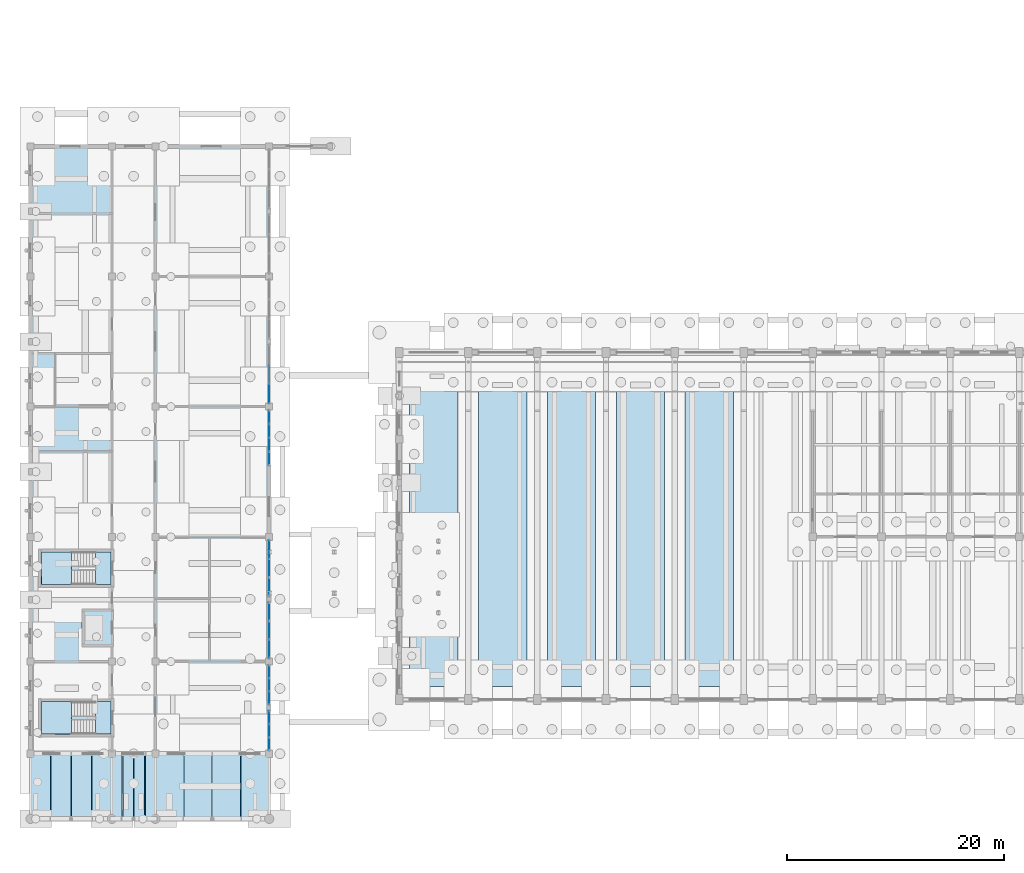
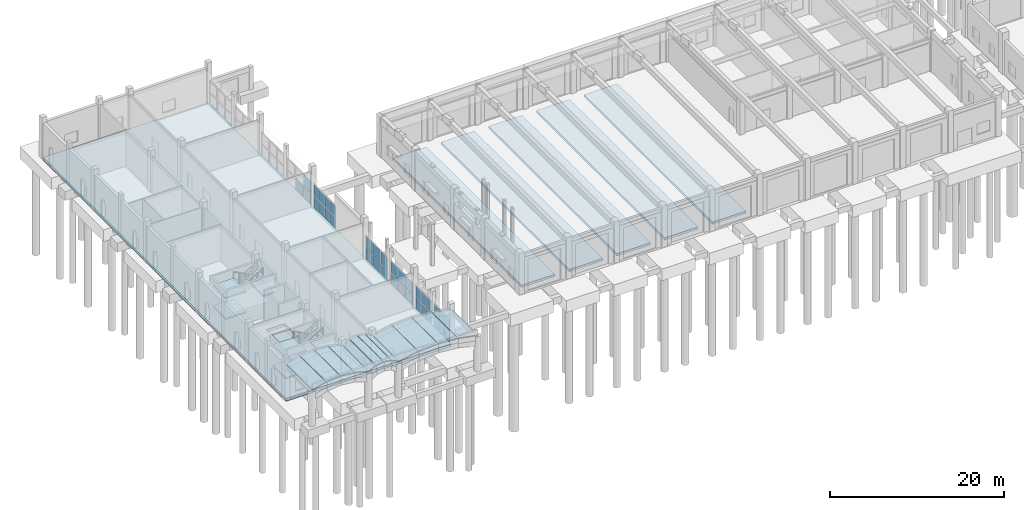
# One storey, part 24 of 60: 35 plates, 25 slabs, 8 elements without a shape of their own.
"""IFC4 building model written with IfcOpenShell, lengths in metres."""

import ifcopenshell
import ifcopenshell.guid

model = None  # the IFC model being written
_history = None  # IfcOwnerHistory: only IFC2X3 demands one
_inside = {}  # id of a spatial element -> (the spatial element, [elements in it])
_under = {}  # id of a project, library or spatial element -> (it, [spatial elements below it])
_declared = {}  # id of a project -> (the project, [libraries it declares])
_typed = {}  # id of a type object -> (the type object, [elements of that type])
_made_of = {}  # id of a material, layer set ... -> (it, [elements and type objects made of it])


def new_model(schema):
    """Start an empty IFC model of exactly this schema.

    Asked for "IFC4X3", IfcOpenShell would pick the latest addendum, in which some entities
    have other attributes; the version numbers below select the first issue.
    IFC2X3 requires an IfcOwnerHistory on every rooted entity: one is made here for all.
    """
    global model, _history
    if schema == "IFC4X3":
        model = ifcopenshell.file(schema_version=(4, 3, 0, 0))
    else:
        model = ifcopenshell.file(schema=schema)
    _inside.clear()
    _under.clear()
    _declared.clear()
    _typed.clear()
    _made_of.clear()
    _history = None
    if model.schema == "IFC2X3":
        org = make("IfcOrganization", Name="unknown")
        user = make(
            "IfcPersonAndOrganization",
            ThePerson=make("IfcPerson", FamilyName="unknown"),
            TheOrganization=org,
        )
        app = make(
            "IfcApplication",
            ApplicationDeveloper=org,
            Version="unknown",
            ApplicationFullName="unknown",
            ApplicationIdentifier="unknown",
        )
        _history = make(
            "IfcOwnerHistory",
            OwningUser=user,
            OwningApplication=app,
            ChangeAction="ADDED",
            CreationDate=0,
        )
    return model


def make(cls, **values):
    """One entity of the class cls with the attributes given. An attribute that is None is left unset."""
    return model.create_entity(
        cls, **{name: value for name, value in values.items() if value is not None}
    )


def rooted(cls, **values):
    """An entity with a GlobalId (a new one), such as an element, a storey or a relation."""
    return make(cls, GlobalId=ifcopenshell.guid.new(), OwnerHistory=_history, **values)


def si_unit(unit_type, name, prefix=None):
    """IfcSIUnit, for example si_unit("LENGTHUNIT", "METRE", prefix="MILLI")."""
    return make("IfcSIUnit", UnitType=unit_type, Prefix=prefix, Name=name)


def assignment(units):
    """IfcUnitAssignment: the units of a project."""
    return None if units is None else make("IfcUnitAssignment", Units=units)


def point(xyz):
    """IfcCartesianPoint."""
    return None if xyz is None else make("IfcCartesianPoint", Coordinates=xyz)


def direction(xyz):
    """IfcDirection."""
    return None if xyz is None else make("IfcDirection", DirectionRatios=xyz)


def frame(location, z_axis=None, x_axis=None):
    """IfcAxis2Placement3D, a coordinate frame: its origin and axes. An axis left out is left unset."""
    return make(
        "IfcAxis2Placement3D",
        Location=point(location),
        Axis=direction(z_axis),
        RefDirection=direction(x_axis),
    )


def frame_2d(location, x_axis=None):
    """IfcAxis2Placement2D, a coordinate frame in the plane: its origin and x axis."""
    return make(
        "IfcAxis2Placement2D", Location=point(location), RefDirection=direction(x_axis)
    )


def origin():
    """The frame at (0, 0, 0) with its axes left unset."""
    return frame((0.0, 0.0, 0.0))


def origin_2d():
    """The frame at (0, 0) in the plane with its x axis left unset."""
    return frame_2d((0.0, 0.0))


def place(relative_to, where):
    """IfcLocalPlacement: puts the frame where relative to a parent placement (None: the world)."""
    return make(
        "IfcLocalPlacement", PlacementRelTo=relative_to, RelativePlacement=where
    )


def context(
    kind, dimensions, precision=None, world=None, true_north=None, identifier=None
):
    """IfcGeometricRepresentationContext, for example the 3D "Model" context."""
    return make(
        "IfcGeometricRepresentationContext",
        ContextIdentifier=identifier,
        ContextType=kind,
        CoordinateSpaceDimension=dimensions,
        Precision=precision,
        WorldCoordinateSystem=world,
        TrueNorth=true_north,
    )


def subcontext(parent, identifier, kind, view, scale=None):
    """IfcGeometricRepresentationSubContext, for example "Body" below "Model"."""
    return make(
        "IfcGeometricRepresentationSubContext",
        ContextIdentifier=identifier,
        ContextType=kind,
        ParentContext=parent,
        TargetScale=scale,
        TargetView=view,
    )


def project(units=None, contexts=None):
    """IfcProject with its units and contexts."""
    return rooted(
        "IfcProject",
        Name="project",
        RepresentationContexts=contexts,
        UnitsInContext=assignment(units),
    )


def spatial(cls, under=None, at=None, **own):
    """A site, building, storey or space (cls), placed at a placement, below another one or the project."""
    s = rooted(cls, ObjectPlacement=at, **own)
    if under is not None:
        _under.setdefault(under.id(), (under, []))[1].append(s)
    return s


def polyline(points):
    """IfcPolyline through the points."""
    return make("IfcPolyline", Points=[point(p) for p in points])


def profile(cls, at=None, kind="AREA", **sizes):
    """A parametric profile (cls). Its sizes go by their IFC names, for example OverallWidth=200.0."""
    return make(cls, ProfileType=kind, Position=at, **sizes)


def rectangle(**sizes):
    """IfcRectangleProfileDef."""
    return profile("IfcRectangleProfileDef", **sizes)


def outline(outer, holes=None, kind="AREA"):
    """IfcArbitraryClosedProfileDef: a profile drawn as a closed curve; with holes, ...WithVoids."""
    if holes is None:
        return make("IfcArbitraryClosedProfileDef", ProfileType=kind, OuterCurve=outer)
    return make(
        "IfcArbitraryProfileDefWithVoids",
        ProfileType=kind,
        OuterCurve=outer,
        InnerCurves=holes,
    )


def extrude(swept, where, along, depth):
    """IfcExtrudedAreaSolid: the profile swept, set in the frame where, extruded along a direction by depth."""
    return make(
        "IfcExtrudedAreaSolid",
        SweptArea=swept,
        Position=where,
        ExtrudedDirection=direction(along),
        Depth=depth,
    )


def shape(context_of_items, identifier, shape_type, items):
    """IfcShapeRepresentation: the items that make up one representation, for example the "Body"."""
    return make(
        "IfcShapeRepresentation",
        ContextOfItems=context_of_items,
        RepresentationIdentifier=identifier,
        RepresentationType=shape_type,
        Items=items,
    )


def material(Name=None, Category=None):
    """IfcMaterial."""
    return make("IfcMaterial", Name=Name, Category=Category)


def layer(
    of_material, thickness, ventilated=None, Name=None, Category=None, Priority=None
):
    """IfcMaterialLayer: one layer of a wall or slab, of a material (None: an air gap)."""
    return make(
        "IfcMaterialLayer",
        Material=of_material,
        LayerThickness=thickness,
        IsVentilated=ventilated,
        Name=Name,
        Category=Category,
        Priority=Priority,
    )


def layer_set(layers, Name=None):
    """IfcMaterialLayerSet."""
    return make("IfcMaterialLayerSet", MaterialLayers=layers, LayerSetName=Name)


def made_of(thing, what):
    """Note that an element or type object is made of a material, layer set ...; save() writes the relation."""
    if what is not None:
        _made_of.setdefault(what.id(), (what, []))[1].append(thing)
    return thing


def type_object(cls, material=None, **own):
    """A type object (cls), such as IfcWallType, which elements share."""
    return made_of(rooted(cls, **own), material)


def element(
    cls,
    number,
    at=None,
    inside=None,
    cuts=None,
    type_object=None,
    material=None,
    context=None,
    identifier="Body",
    shape_type=None,
    held_by="IfcProductDefinitionShape",
    body=None,
    shapes=None,
    **own,
):
    """One element of the class cls, such as IfcWall. Its Tag is "e" and its number.

    at: its placement. inside: the storey or other place that contains it. cuts: it is an
    opening in that element (IfcRelVoidsElement). A single representation is given by context,
    identifier, shape_type and body (its items); several are given by shapes. held_by: the class
    of the entity that holds the representations. save() writes the other relations.
    """
    e = rooted(cls, Tag="e%d" % number, ObjectPlacement=at, **own)
    if body is not None:
        shapes = [shape(context, identifier, shape_type, body)]
    if shapes is not None:
        e.Representation = make(held_by, Representations=shapes)
    if inside is not None:
        _inside.setdefault(inside.id(), (inside, []))[1].append(e)
    if cuts is not None:
        rooted(
            "IfcRelVoidsElement", RelatingBuildingElement=cuts, RelatedOpeningElement=e
        )
    if type_object is not None:
        _typed.setdefault(type_object.id(), (type_object, []))[1].append(e)
    return made_of(e, material)


def aggregate(whole, parts):
    """IfcRelAggregates: a whole, such as a stair, and the parts it consists of."""
    return rooted("IfcRelAggregates", RelatingObject=whole, RelatedObjects=parts)


def save(model, path):
    """Write the relations noted so far, then the file.

    IfcRelAggregates (storeys below a building ...), IfcRelContainedInSpatialStructure (elements
    in a storey), IfcRelDefinesByType, IfcRelAssociatesMaterial and IfcRelDeclares: one each for
    every whole, place, type object, material and project.
    """
    for whole, parts in _under.values():
        aggregate(whole, parts)
    for where, things in _inside.values():
        rooted(
            "IfcRelContainedInSpatialStructure",
            RelatedElements=things,
            RelatingStructure=where,
        )
    for kind, things in _typed.values():
        rooted("IfcRelDefinesByType", RelatedObjects=things, RelatingType=kind)
    for what, things in _made_of.values():
        rooted("IfcRelAssociatesMaterial", RelatedObjects=things, RelatingMaterial=what)
    for by, libraries in _declared.values():
        rooted("IfcRelDeclares", RelatingContext=by, RelatedDefinitions=libraries)
    model.write(path)


model = new_model("IFC4")

# Units and contexts
model_context = context("Model", 3, precision=1e-05, world=origin(), true_north=direction((0.0, 1.0)))
body_context = subcontext(model_context, "Body", "Model", "MODEL_VIEW")
ifc_project = project(units=[si_unit("LENGTHUNIT", "METRE"), si_unit("AREAUNIT", "SQUARE_METRE"), si_unit("VOLUMEUNIT", "CUBIC_METRE"), si_unit("PLANEANGLEUNIT", "RADIAN"), si_unit("MASSUNIT", "GRAM", prefix="KILO")], contexts=[model_context])

# Site, building, storey
site_placement = place(None, origin())
site = spatial("IfcSite", under=ifc_project, at=site_placement, CompositionType="ELEMENT")
building_placement = place(site_placement, origin())
building = spatial("IfcBuilding", under=site, at=building_placement, Name="Trellovar Central Fire Station", CompositionType="ELEMENT")
storey_placement = place(building_placement, origin())
storey = spatial("IfcBuildingStorey", under=building, at=storey_placement, Name="L01", CompositionType="ELEMENT", Elevation=0.0)

# Curtain wall, plate
ifc_material_1 = material(Name="Thermally broken bronze anodized aluminum", Category="aluminium")
ifc_layer_1 = layer(ifc_material_1, 0.159912109375)
ifc_layer_set_1 = layer_set([ifc_layer_1], Name="Thermally broken bronze anodized aluminum")
curtain_wall_type = type_object("IfcCurtainWallType", Name="CW-03", PredefinedType="NOTDEFINED", material=ifc_layer_set_1)
curtain_wall_1_placement = place(storey_placement, origin())
curtain_wall_1 = element("IfcCurtainWall", 1, at=curtain_wall_1_placement, inside=storey, type_object=curtain_wall_type, Name="L01 curtain wall CW-3", PredefinedType="NOTDEFINED")
ifc_material_2 = material(Name="Double low-E solar control insulated glazing", Category="glass")
ifc_layer_2 = layer(ifc_material_2, 0.031982421875)
ifc_layer_set_2 = layer_set([ifc_layer_2], Name="Double low-E solar control insulated glazing")
plate_type_1 = type_object("IfcPlateType", Name="CWP-GL1", PredefinedType="CURTAIN_PANEL", material=ifc_layer_set_2)
plate_1_placement = place(storey_placement, frame((23.0, 9.92919921875, 1.68994140625), z_axis=(0.0, 0.0, 1.0), x_axis=(0.0, 1.0, 0.0)))
plate_1 = element("IfcPlate", 2, at=plate_1_placement, type_object=plate_type_1, Name="CW3-L01-0027 panel 1-2", PredefinedType="CURTAIN_PANEL", context=body_context, shape_type="SweptSolid", body=[
    extrude(rectangle(XDim=1.12841796875, YDim=0.031982421875, at=origin_2d()), origin(), (0.0, 0.0, 1.0), 1.570068359375),
])

curtain_wall_2_placement = place(storey_placement, origin())
curtain_wall_2 = element("IfcCurtainWall", 3, at=curtain_wall_2_placement, inside=storey, type_object=curtain_wall_type, Name="L01 curtain wall CW-3", PredefinedType="NOTDEFINED")
plate_2_placement = place(storey_placement, frame((23.0, 22.095703125, 1.68994140625), z_axis=(0.0, 0.0, 1.0), x_axis=(0.0, 1.0, 0.0)))
plate_2 = element("IfcPlate", 4, at=plate_2_placement, type_object=plate_type_1, Name="CW3-L01-0029 panel 3-2", PredefinedType="CURTAIN_PANEL", context=body_context, shape_type="SweptSolid", body=[
    extrude(rectangle(XDim=1.62841796875, YDim=0.031982421875, at=origin_2d()), origin(), (0.0, 0.0, 1.0), 1.570068359375),
])

curtain_wall_3_placement = place(storey_placement, origin())
curtain_wall_3 = element("IfcCurtainWall", 5, at=curtain_wall_3_placement, inside=storey, type_object=curtain_wall_type, Name="L01 curtain wall CW-3", PredefinedType="NOTDEFINED")
plate_3_placement = place(storey_placement, frame((23.0, 26.112548828125, 1.68994140625), z_axis=(0.0, 0.0, 1.0), x_axis=(0.0, 1.0, 0.0)))
plate_3 = element("IfcPlate", 6, at=plate_3_placement, type_object=plate_type_1, Name="CW3-L01-0030 panel 2-2", PredefinedType="CURTAIN_PANEL", context=body_context, shape_type="SweptSolid", body=[
    extrude(rectangle(XDim=1.62841796875, YDim=0.031982421875, at=origin_2d()), origin(), (0.0, 0.0, 1.0), 1.570068359375),
])

curtain_wall_4_placement = place(storey_placement, origin())
curtain_wall_4 = element("IfcCurtainWall", 7, at=curtain_wall_4_placement, inside=storey, type_object=curtain_wall_type, Name="L01 curtain wall CW-3", PredefinedType="NOTDEFINED")
plate_4_placement = place(storey_placement, frame((23.0, 36.234375, 1.68994140625), z_axis=(0.0, 0.0, 1.0), x_axis=(0.0, 1.0, 0.0)))
plate_4 = element("IfcPlate", 8, at=plate_4_placement, type_object=plate_type_1, Name="CW3-L01-0031 panel 1-2", PredefinedType="CURTAIN_PANEL", context=body_context, shape_type="SweptSolid", body=[
    extrude(rectangle(XDim=1.188720703125, YDim=0.031982421875, at=origin_2d()), origin(), (0.0, 0.0, 1.0), 1.570068359375),
])

# Plate
ifc_material_3 = material(Name="Double low-E solar control insulated glazing", Category="glass")
ifc_layer_3 = layer(ifc_material_3, 0.035888671875)
ifc_layer_set_3 = layer_set([ifc_layer_3], Name="Double low-E solar control insulated glazing")
plate_type_2 = type_object("IfcPlateType", Name="CWP-GL2", PredefinedType="CURTAIN_PANEL", material=ifc_layer_set_3)
plate_5_placement = place(storey_placement, frame((23.0, 11.137451171875, 1.68994140625), z_axis=(0.0, 0.0, 1.0), x_axis=(0.0, 1.0, 0.0)))
plate_5 = element("IfcPlate", 9, at=plate_5_placement, type_object=plate_type_2, Name="CW3-L01-0027 panel 2-2", PredefinedType="CURTAIN_PANEL", context=body_context, shape_type="SweptSolid", body=[
    extrude(rectangle(XDim=1.12841796875, YDim=0.035888671875, at=origin_2d()), origin(), (0.0, 0.0, 1.0), 1.570068359375),
])

# Curtain wall, plate
curtain_wall_5_placement = place(storey_placement, origin())
curtain_wall_5 = element("IfcCurtainWall", 10, at=curtain_wall_5_placement, inside=storey, type_object=curtain_wall_type, Name="L01 curtain wall CW-3", PredefinedType="NOTDEFINED")
plate_6_placement = place(storey_placement, frame((23.0, 14.154296875, 1.68994140625), z_axis=(0.0, 0.0, 1.0), x_axis=(0.0, 1.0, 0.0)))
plate_6 = element("IfcPlate", 11, at=plate_6_placement, type_object=plate_type_2, Name="CW3-L01-0028 panel 1-2", PredefinedType="CURTAIN_PANEL", context=body_context, shape_type="SweptSolid", body=[
    extrude(rectangle(XDim=1.12841796875, YDim=0.035888671875, at=origin_2d()), origin(), (0.0, 0.0, 1.0), 1.570068359375),
])

# Plate
plate_7_placement = place(storey_placement, frame((23.0, 27.82080078125, 1.68994140625), z_axis=(0.0, 0.0, 1.0), x_axis=(0.0, 1.0, 0.0)))
plate_7 = element("IfcPlate", 12, at=plate_7_placement, type_object=plate_type_2, Name="CW3-L01-0030 panel 3-2", PredefinedType="CURTAIN_PANEL", context=body_context, shape_type="SweptSolid", body=[
    extrude(rectangle(XDim=1.62841796875, YDim=0.035888671875, at=origin_2d()), origin(), (0.0, 0.0, 1.0), 1.570068359375),
])

plate_8_placement = place(storey_placement, frame((23.0, 37.503173828125, 1.68994140625), z_axis=(0.0, 0.0, 1.0), x_axis=(0.0, 1.0, 0.0)))
plate_8 = element("IfcPlate", 13, at=plate_8_placement, type_object=plate_type_2, Name="CW3-L01-0031 panel 2-2", PredefinedType="CURTAIN_PANEL", context=body_context, shape_type="SweptSolid", body=[
    extrude(rectangle(XDim=1.188720703125, YDim=0.035888671875, at=origin_2d()), origin(), (0.0, 0.0, 1.0), 1.570068359375),
])

# Curtain wall, plate
curtain_wall_6_placement = place(storey_placement, origin())
curtain_wall_6 = element("IfcCurtainWall", 14, at=curtain_wall_6_placement, inside=storey, type_object=curtain_wall_type, Name="L01 curtain wall CW-3", PredefinedType="NOTDEFINED")
plate_9_placement = place(storey_placement, frame((23.0, 42.220947265625, 1.68994140625), z_axis=(0.0, 0.0, 1.0), x_axis=(0.0, 1.0, 0.0)))
plate_9 = element("IfcPlate", 15, at=plate_9_placement, type_object=plate_type_2, Name="CW3-L01-0032 panel 1-2", PredefinedType="CURTAIN_PANEL", context=body_context, shape_type="SweptSolid", body=[
    extrude(rectangle(XDim=1.711669921875, YDim=0.035888671875, at=origin_2d()), origin(), (0.0, 0.0, 1.0), 1.570068359375),
])

# Plate
ifc_material_4 = material(Name="Double low-E solar control insulated glazing", Category="glass")
ifc_layer_4 = layer(ifc_material_4, 0.033935546875)
ifc_layer_set_4 = layer_set([ifc_layer_4], Name="Double low-E solar control insulated glazing")
plate_type_3 = type_object("IfcPlateType", Name="CWP-GL3", PredefinedType="CURTAIN_PANEL", material=ifc_layer_set_4)
plate_10_placement = place(storey_placement, frame((23.0, 12.345703125, 1.68994140625), z_axis=(0.0, 0.0, 1.0), x_axis=(0.0, 1.0, 0.0)))
plate_10 = element("IfcPlate", 16, at=plate_10_placement, type_object=plate_type_3, Name="CW3-L01-0027 panel 3-2", PredefinedType="CURTAIN_PANEL", context=body_context, shape_type="SweptSolid", body=[
    extrude(rectangle(XDim=1.12841796875, YDim=0.033935546875, at=origin_2d()), origin(), (0.0, 0.0, 1.0), 1.570068359375),
])

plate_11_placement = place(storey_placement, frame((23.0, 15.362548828125, 1.68994140625), z_axis=(0.0, 0.0, 1.0), x_axis=(0.0, 1.0, 0.0)))
plate_11 = element("IfcPlate", 17, at=plate_11_placement, type_object=plate_type_3, Name="CW3-L01-0028 panel 2-2", PredefinedType="CURTAIN_PANEL", context=body_context, shape_type="SweptSolid", body=[
    extrude(rectangle(XDim=1.12841796875, YDim=0.033935546875, at=origin_2d()), origin(), (0.0, 0.0, 1.0), 1.570068359375),
])

plate_12_placement = place(storey_placement, frame((23.0, 18.67919921875, 1.68994140625), z_axis=(0.0, 0.0, 1.0), x_axis=(0.0, 1.0, 0.0)))
plate_12 = element("IfcPlate", 18, at=plate_12_placement, type_object=plate_type_3, Name="CW3-L01-0029 panel 1-2", PredefinedType="CURTAIN_PANEL", context=body_context, shape_type="SweptSolid", body=[
    extrude(rectangle(XDim=1.62841796875, YDim=0.033935546875, at=origin_2d()), origin(), (0.0, 0.0, 1.0), 1.570068359375),
])

plate_13_placement = place(storey_placement, frame((23.0, 38.77197265625, 1.68994140625), z_axis=(0.0, 0.0, 1.0), x_axis=(0.0, 1.0, 0.0)))
plate_13 = element("IfcPlate", 19, at=plate_13_placement, type_object=plate_type_3, Name="CW3-L01-0031 panel 3-2", PredefinedType="CURTAIN_PANEL", context=body_context, shape_type="SweptSolid", body=[
    extrude(rectangle(XDim=1.188720703125, YDim=0.033935546875, at=origin_2d()), origin(), (0.0, 0.0, 1.0), 1.570068359375),
])

ifc_material_5 = material(Name="Double low-E solar control insulated glazing", Category="glass")
ifc_layer_5 = layer(ifc_material_5, 0.030029296875)
ifc_layer_set_5 = layer_set([ifc_layer_5], Name="Double low-E solar control insulated glazing")
plate_type_4 = type_object("IfcPlateType", Name="CWP-GL4", PredefinedType="CURTAIN_PANEL", material=ifc_layer_set_5)
plate_14_placement = place(storey_placement, frame((23.0, 16.57080078125, 1.68994140625), z_axis=(0.0, 0.0, 1.0), x_axis=(0.0, 1.0, 0.0)))
plate_14 = element("IfcPlate", 20, at=plate_14_placement, type_object=plate_type_4, Name="CW3-L01-0028 panel 3-2", PredefinedType="CURTAIN_PANEL", context=body_context, shape_type="SweptSolid", body=[
    extrude(rectangle(XDim=1.12841796875, YDim=0.030029296875, at=origin_2d()), origin(), (0.0, 0.0, 1.0), 1.570068359375),
])

plate_15_placement = place(storey_placement, frame((23.0, 20.387451171875, 1.68994140625), z_axis=(0.0, 0.0, 1.0), x_axis=(0.0, 1.0, 0.0)))
plate_15 = element("IfcPlate", 21, at=plate_15_placement, type_object=plate_type_4, Name="CW3-L01-0029 panel 2-2", PredefinedType="CURTAIN_PANEL", context=body_context, shape_type="SweptSolid", body=[
    extrude(rectangle(XDim=1.62841796875, YDim=0.030029296875, at=origin_2d()), origin(), (0.0, 0.0, 1.0), 1.570068359375),
])

plate_16_placement = place(storey_placement, frame((23.0, 24.404296875, 1.68994140625), z_axis=(0.0, 0.0, 1.0), x_axis=(0.0, 1.0, 0.0)))
plate_16 = element("IfcPlate", 22, at=plate_16_placement, type_object=plate_type_4, Name="CW3-L01-0030 panel 1-2", PredefinedType="CURTAIN_PANEL", context=body_context, shape_type="SweptSolid", body=[
    extrude(rectangle(XDim=1.62841796875, YDim=0.030029296875, at=origin_2d()), origin(), (0.0, 0.0, 1.0), 1.570068359375),
])

plate_17_placement = place(storey_placement, frame((23.0, 40.04052734375, 1.68994140625), z_axis=(0.0, 0.0, 1.0), x_axis=(0.0, 1.0, 0.0)))
plate_17 = element("IfcPlate", 23, at=plate_17_placement, type_object=plate_type_4, Name="CW3-L01-0031 panel 4-2", PredefinedType="CURTAIN_PANEL", context=body_context, shape_type="SweptSolid", body=[
    extrude(rectangle(XDim=1.188720703125, YDim=0.030029296875, at=origin_2d()), origin(), (0.0, 0.0, 1.0), 1.570068359375),
])

ifc_material_6 = material(Name="Glazed ceramic trencadis and terracotta panel", Category="masonry")
ifc_layer_6 = layer(ifc_material_6, 0.048095703125)
ifc_layer_set_6 = layer_set([ifc_layer_6], Name="Glazed ceramic trencadis and terracotta panel")
plate_type_5 = type_object("IfcPlateType", Name="CWP-SP1", PredefinedType="CURTAIN_PANEL", material=ifc_layer_set_6)
plate_18_placement = place(storey_placement, frame((23.0, 11.137451171875, 0.0400390625), z_axis=(0.0, 0.0, 1.0), x_axis=(0.0, 1.0, 0.0)))
plate_18 = element("IfcPlate", 24, at=plate_18_placement, type_object=plate_type_5, Name="CW3-L01-0027 panel 2-1", PredefinedType="CURTAIN_PANEL", context=body_context, shape_type="SweptSolid", body=[
    extrude(rectangle(XDim=1.12841796875, YDim=0.048095703125, at=origin_2d()), origin(), (0.0, 0.0, 1.0), 1.570068359375),
])

plate_19_placement = place(storey_placement, frame((23.0, 14.154296875, 0.0400390625), z_axis=(0.0, 0.0, 1.0), x_axis=(0.0, 1.0, 0.0)))
plate_19 = element("IfcPlate", 25, at=plate_19_placement, type_object=plate_type_5, Name="CW3-L01-0028 panel 1-1", PredefinedType="CURTAIN_PANEL", context=body_context, shape_type="SweptSolid", body=[
    extrude(rectangle(XDim=1.12841796875, YDim=0.048095703125, at=origin_2d()), origin(), (0.0, 0.0, 1.0), 1.570068359375),
])

plate_20_placement = place(storey_placement, frame((23.0, 16.57080078125, 0.0400390625), z_axis=(0.0, 0.0, 1.0), x_axis=(0.0, 1.0, 0.0)))
plate_20 = element("IfcPlate", 26, at=plate_20_placement, type_object=plate_type_5, Name="CW3-L01-0028 panel 3-1", PredefinedType="CURTAIN_PANEL", context=body_context, shape_type="SweptSolid", body=[
    extrude(rectangle(XDim=1.12841796875, YDim=0.048095703125, at=origin_2d()), origin(), (0.0, 0.0, 1.0), 1.570068359375),
])

plate_21_placement = place(storey_placement, frame((23.0, 20.387451171875, 0.0400390625), z_axis=(0.0, 0.0, 1.0), x_axis=(0.0, 1.0, 0.0)))
plate_21 = element("IfcPlate", 27, at=plate_21_placement, type_object=plate_type_5, Name="CW3-L01-0029 panel 2-1", PredefinedType="CURTAIN_PANEL", context=body_context, shape_type="SweptSolid", body=[
    extrude(rectangle(XDim=1.62841796875, YDim=0.048095703125, at=origin_2d()), origin(), (0.0, 0.0, 1.0), 1.570068359375),
])

plate_22_placement = place(storey_placement, frame((23.0, 24.404296875, 0.0400390625), z_axis=(0.0, 0.0, 1.0), x_axis=(0.0, 1.0, 0.0)))
plate_22 = element("IfcPlate", 28, at=plate_22_placement, type_object=plate_type_5, Name="CW3-L01-0030 panel 1-1", PredefinedType="CURTAIN_PANEL", context=body_context, shape_type="SweptSolid", body=[
    extrude(rectangle(XDim=1.62841796875, YDim=0.048095703125, at=origin_2d()), origin(), (0.0, 0.0, 1.0), 1.570068359375),
])

plate_23_placement = place(storey_placement, frame((23.0, 27.82080078125, 0.0400390625), z_axis=(0.0, 0.0, 1.0), x_axis=(0.0, 1.0, 0.0)))
plate_23 = element("IfcPlate", 29, at=plate_23_placement, type_object=plate_type_5, Name="CW3-L01-0030 panel 3-1", PredefinedType="CURTAIN_PANEL", context=body_context, shape_type="SweptSolid", body=[
    extrude(rectangle(XDim=1.62841796875, YDim=0.048095703125, at=origin_2d()), origin(), (0.0, 0.0, 1.0), 1.570068359375),
])

plate_24_placement = place(storey_placement, frame((23.0, 37.503173828125, 0.0400390625), z_axis=(0.0, 0.0, 1.0), x_axis=(0.0, 1.0, 0.0)))
plate_24 = element("IfcPlate", 30, at=plate_24_placement, type_object=plate_type_5, Name="CW3-L01-0031 panel 2-1", PredefinedType="CURTAIN_PANEL", context=body_context, shape_type="SweptSolid", body=[
    extrude(rectangle(XDim=1.188720703125, YDim=0.048095703125, at=origin_2d()), origin(), (0.0, 0.0, 1.0), 1.570068359375),
])

plate_25_placement = place(storey_placement, frame((23.0, 40.04052734375, 0.0400390625), z_axis=(0.0, 0.0, 1.0), x_axis=(0.0, 1.0, 0.0)))
plate_25 = element("IfcPlate", 31, at=plate_25_placement, type_object=plate_type_5, Name="CW3-L01-0031 panel 4-1", PredefinedType="CURTAIN_PANEL", context=body_context, shape_type="SweptSolid", body=[
    extrude(rectangle(XDim=1.188720703125, YDim=0.048095703125, at=origin_2d()), origin(), (0.0, 0.0, 1.0), 1.570068359375),
])

plate_26_placement = place(storey_placement, frame((23.0, 42.220947265625, 0.0400390625), z_axis=(0.0, 0.0, 1.0), x_axis=(0.0, 1.0, 0.0)))
plate_26 = element("IfcPlate", 32, at=plate_26_placement, type_object=plate_type_5, Name="CW3-L01-0032 panel 1-1", PredefinedType="CURTAIN_PANEL", context=body_context, shape_type="SweptSolid", body=[
    extrude(rectangle(XDim=1.711669921875, YDim=0.048095703125, at=origin_2d()), origin(), (0.0, 0.0, 1.0), 1.570068359375),
])

ifc_material_7 = material(Name="Glazed ceramic trencadis and terracotta panel", Category="masonry")
ifc_layer_7 = layer(ifc_material_7, 0.044921875)
ifc_layer_set_7 = layer_set([ifc_layer_7], Name="Glazed ceramic trencadis and terracotta panel")
plate_type_6 = type_object("IfcPlateType", Name="CWP-SP2", PredefinedType="CURTAIN_PANEL", material=ifc_layer_set_7)
plate_27_placement = place(storey_placement, frame((23.0, 9.92919921875, 0.0400390625), z_axis=(0.0, 0.0, 1.0), x_axis=(0.0, 1.0, 0.0)))
plate_27 = element("IfcPlate", 33, at=plate_27_placement, type_object=plate_type_6, Name="CW3-L01-0027 panel 1-1", PredefinedType="CURTAIN_PANEL", context=body_context, shape_type="SweptSolid", body=[
    extrude(rectangle(XDim=1.12841796875, YDim=0.044921875, at=origin_2d()), origin(), (0.0, 0.0, 1.0), 1.570068359375),
])

plate_28_placement = place(storey_placement, frame((23.0, 12.345703125, 0.0400390625), z_axis=(0.0, 0.0, 1.0), x_axis=(0.0, 1.0, 0.0)))
plate_28 = element("IfcPlate", 34, at=plate_28_placement, type_object=plate_type_6, Name="CW3-L01-0027 panel 3-1", PredefinedType="CURTAIN_PANEL", context=body_context, shape_type="SweptSolid", body=[
    extrude(rectangle(XDim=1.12841796875, YDim=0.044921875, at=origin_2d()), origin(), (0.0, 0.0, 1.0), 1.570068359375),
])

aggregate(curtain_wall_1, [plate_27, plate_1, plate_18, plate_5, plate_28, plate_10])

plate_29_placement = place(storey_placement, frame((23.0, 15.362548828125, 0.0400390625), z_axis=(0.0, 0.0, 1.0), x_axis=(0.0, 1.0, 0.0)))
plate_29 = element("IfcPlate", 35, at=plate_29_placement, type_object=plate_type_6, Name="CW3-L01-0028 panel 2-1", PredefinedType="CURTAIN_PANEL", context=body_context, shape_type="SweptSolid", body=[
    extrude(rectangle(XDim=1.12841796875, YDim=0.044921875, at=origin_2d()), origin(), (0.0, 0.0, 1.0), 1.570068359375),
])

aggregate(curtain_wall_5, [plate_19, plate_6, plate_29, plate_11, plate_20, plate_14])

plate_30_placement = place(storey_placement, frame((23.0, 18.67919921875, 0.0400390625), z_axis=(0.0, 0.0, 1.0), x_axis=(0.0, 1.0, 0.0)))
plate_30 = element("IfcPlate", 36, at=plate_30_placement, type_object=plate_type_6, Name="CW3-L01-0029 panel 1-1", PredefinedType="CURTAIN_PANEL", context=body_context, shape_type="SweptSolid", body=[
    extrude(rectangle(XDim=1.62841796875, YDim=0.044921875, at=origin_2d()), origin(), (0.0, 0.0, 1.0), 1.570068359375),
])

plate_31_placement = place(storey_placement, frame((23.0, 22.095703125, 0.0400390625), z_axis=(0.0, 0.0, 1.0), x_axis=(0.0, 1.0, 0.0)))
plate_31 = element("IfcPlate", 37, at=plate_31_placement, type_object=plate_type_6, Name="CW3-L01-0029 panel 3-1", PredefinedType="CURTAIN_PANEL", context=body_context, shape_type="SweptSolid", body=[
    extrude(rectangle(XDim=1.62841796875, YDim=0.044921875, at=origin_2d()), origin(), (0.0, 0.0, 1.0), 1.570068359375),
])

aggregate(curtain_wall_2, [plate_30, plate_12, plate_21, plate_15, plate_31, plate_2])

plate_32_placement = place(storey_placement, frame((23.0, 26.112548828125, 0.0400390625), z_axis=(0.0, 0.0, 1.0), x_axis=(0.0, 1.0, 0.0)))
plate_32 = element("IfcPlate", 38, at=plate_32_placement, type_object=plate_type_6, Name="CW3-L01-0030 panel 2-1", PredefinedType="CURTAIN_PANEL", context=body_context, shape_type="SweptSolid", body=[
    extrude(rectangle(XDim=1.62841796875, YDim=0.044921875, at=origin_2d()), origin(), (0.0, 0.0, 1.0), 1.570068359375),
])

aggregate(curtain_wall_3, [plate_22, plate_16, plate_32, plate_3, plate_23, plate_7])

plate_33_placement = place(storey_placement, frame((23.0, 36.234375, 0.0400390625), z_axis=(0.0, 0.0, 1.0), x_axis=(0.0, 1.0, 0.0)))
plate_33 = element("IfcPlate", 39, at=plate_33_placement, type_object=plate_type_6, Name="CW3-L01-0031 panel 1-1", PredefinedType="CURTAIN_PANEL", context=body_context, shape_type="SweptSolid", body=[
    extrude(rectangle(XDim=1.188720703125, YDim=0.044921875, at=origin_2d()), origin(), (0.0, 0.0, 1.0), 1.570068359375),
])

plate_34_placement = place(storey_placement, frame((23.0, 38.77197265625, 0.0400390625), z_axis=(0.0, 0.0, 1.0), x_axis=(0.0, 1.0, 0.0)))
plate_34 = element("IfcPlate", 40, at=plate_34_placement, type_object=plate_type_6, Name="CW3-L01-0031 panel 3-1", PredefinedType="CURTAIN_PANEL", context=body_context, shape_type="SweptSolid", body=[
    extrude(rectangle(XDim=1.188720703125, YDim=0.044921875, at=origin_2d()), origin(), (0.0, 0.0, 1.0), 1.570068359375),
])

aggregate(curtain_wall_4, [plate_33, plate_4, plate_24, plate_8, plate_34, plate_13, plate_25, plate_17])

plate_35_placement = place(storey_placement, frame((23.0, 44.012451171875, 0.0400390625), z_axis=(0.0, 0.0, 1.0), x_axis=(0.0, 1.0, 0.0)))
plate_35 = element("IfcPlate", 41, at=plate_35_placement, type_object=plate_type_6, Name="CW3-L01-0032 panel 2-1", PredefinedType="CURTAIN_PANEL", context=body_context, shape_type="SweptSolid", body=[
    extrude(rectangle(XDim=1.711669921875, YDim=0.044921875, at=origin_2d()), origin(), (0.0, 0.0, 1.0), 1.570068359375),
])

aggregate(curtain_wall_6, [plate_26, plate_9, plate_35])

# Slab
ifc_material_8 = material(Name="Concrete C35/45", Category="concrete")
ifc_layer_8 = layer(ifc_material_8, 0.39990234375)
ifc_layer_set_8 = layer_set([ifc_layer_8], Name="Concrete C35/45")
slab_type_1 = type_object("IfcSlabType", Name="SLB-BASE400", PredefinedType="BASESLAB", material=ifc_layer_set_8)
slab_1_placement = place(storey_placement, frame((0.0, 0.0, -0.39990234375)))
element("IfcSlab", 42, at=slab_1_placement, inside=storey, type_object=slab_type_1, Name="V4 L01 structural base slab", PredefinedType="BASESLAB", context=body_context, shape_type="SweptSolid", body=[
    extrude(outline(polyline([(1.0, 9.0), (23.0, 9.0), (23.0, 65.0), (1.0, 65.0), (1.0, 9.0)]), holes=[polyline([(6.0, 19.10009765625), (8.39990234375, 19.10009765625), (8.39990234375, 22.10009765625), (6.0, 22.10009765625), (6.0, 19.10009765625)])]), origin(), (0.0, 0.0, 1.0), 0.39990234375),
])

# Stair, slabs
ifc_material_9 = material(Name="Concrete C40/50", Category="concrete")
stair_type = type_object("IfcStairType", Name="ST-R1625", PredefinedType="HALF_TURN_STAIR", material=ifc_material_9)
stair_1_placement = place(storey_placement, origin())
stair_1 = element("IfcStair", 43, at=stair_1_placement, inside=storey, type_object=stair_type, Name="L01 Protected exit stair ST-03", PredefinedType="HALF_TURN_STAIR")
ifc_material_10 = material(Name="Concrete C40/50", Category="concrete")
ifc_layer_9 = layer(ifc_material_10, 0.199951171875)
ifc_layer_set_9 = layer_set([ifc_layer_9], Name="Concrete C40/50")
slab_type_2 = type_object("IfcSlabType", Name="SLB-LND", PredefinedType="LANDING", material=ifc_layer_set_9)
slab_2_placement = place(storey_placement, frame((0.0, 0.0, 1.262451171875)))
slab_2 = element("IfcSlab", 44, at=slab_2_placement, type_object=slab_type_2, Name="ST-03 landing 1", PredefinedType="LANDING", context=body_context, shape_type="SweptSolid", body=[
    extrude(outline(polyline([(4.760009765625, 13.800048828125), (2.0, 13.800048828125), (2.0, 10.800048828125), (4.760009765625, 10.800048828125), (4.760009765625, 13.800048828125)])), origin(), (0.0, 0.0, 1.0), 0.199951171875),
])
slab_3_placement = place(storey_placement, frame((0.0, 0.0, 2.72509765625)))
slab_3 = element("IfcSlab", 45, at=slab_3_placement, type_object=slab_type_2, Name="ST-03 landing 2", PredefinedType="LANDING", context=body_context, shape_type="SweptSolid", body=[
    extrude(outline(polyline([(8.39990234375, 13.800048828125), (7.0, 13.800048828125), (7.0, 10.800048828125), (8.39990234375, 10.800048828125), (8.39990234375, 13.800048828125)])), origin(), (0.0, 0.0, 1.0), 0.199951171875),
])
slab_4_placement = place(storey_placement, frame((0.0, 0.0, 4.1875)))
slab_4 = element("IfcSlab", 46, at=slab_4_placement, type_object=slab_type_2, Name="ST-03 landing 3", PredefinedType="LANDING", context=body_context, shape_type="SweptSolid", body=[
    extrude(outline(polyline([(4.760009765625, 13.800048828125), (2.0, 13.800048828125), (2.0, 10.800048828125), (4.760009765625, 10.800048828125), (4.760009765625, 13.800048828125)])), origin(), (0.0, 0.0, 1.0), 0.199951171875),
])
aggregate(stair_1, [slab_2, slab_3, slab_4])

stair_2_placement = place(storey_placement, origin())
stair_2 = element("IfcStair", 47, at=stair_2_placement, inside=storey, type_object=stair_type, Name="L01 Protected exit stair ST-04", PredefinedType="HALF_TURN_STAIR")
slab_5_placement = place(storey_placement, frame((0.0, 0.0, 1.262451171875)))
slab_5 = element("IfcSlab", 48, at=slab_5_placement, type_object=slab_type_2, Name="ST-04 landing 1", PredefinedType="LANDING", context=body_context, shape_type="SweptSolid", body=[
    extrude(outline(polyline([(4.760009765625, 27.60009765625), (2.0, 27.60009765625), (2.0, 24.60009765625), (4.760009765625, 24.60009765625), (4.760009765625, 27.60009765625)])), origin(), (0.0, 0.0, 1.0), 0.199951171875),
])
slab_6_placement = place(storey_placement, frame((0.0, 0.0, 2.72509765625)))
slab_6 = element("IfcSlab", 49, at=slab_6_placement, type_object=slab_type_2, Name="ST-04 landing 2", PredefinedType="LANDING", context=body_context, shape_type="SweptSolid", body=[
    extrude(outline(polyline([(8.39990234375, 27.60009765625), (7.0, 27.60009765625), (7.0, 24.60009765625), (8.39990234375, 24.60009765625), (8.39990234375, 27.60009765625)])), origin(), (0.0, 0.0, 1.0), 0.199951171875),
])
slab_7_placement = place(storey_placement, frame((0.0, 0.0, 4.1875)))
slab_7 = element("IfcSlab", 50, at=slab_7_placement, type_object=slab_type_2, Name="ST-04 landing 3", PredefinedType="LANDING", context=body_context, shape_type="SweptSolid", body=[
    extrude(outline(polyline([(4.760009765625, 27.60009765625), (2.0, 27.60009765625), (2.0, 24.60009765625), (4.760009765625, 24.60009765625), (4.760009765625, 27.60009765625)])), origin(), (0.0, 0.0, 1.0), 0.199951171875),
])
aggregate(stair_2, [slab_5, slab_6, slab_7])

# Slabs
ifc_material_11 = material(Name="Concrete C35/45", Category="concrete")
ifc_layer_10 = layer(ifc_material_11, 0.35009765625)
ifc_layer_set_10 = layer_set([ifc_layer_10], Name="Concrete C35/45")
slab_type_3 = type_object("IfcSlabType", Name="SLB-PIT350", PredefinedType="BASESLAB", material=ifc_layer_set_10)
slab_8_placement = place(storey_placement, frame((0.0, 0.0, -1.5)))
element("IfcSlab", 51, at=slab_8_placement, inside=storey, type_object=slab_type_3, Name="Elevator EL-03 pit base slab", PredefinedType="BASESLAB", context=body_context, shape_type="SweptSolid", body=[
    extrude(outline(polyline([(5.75, 18.85009765625), (8.64990234375, 18.85009765625), (8.64990234375, 22.35009765625), (5.75, 22.35009765625), (5.75, 18.85009765625)])), origin(), (0.0, 0.0, 1.0), 0.35009765625),
])
ifc_material_12 = material(Name="Concrete C35/45", Category="concrete")
ifc_layer_11 = layer(ifc_material_12, 0.324951171875)
ifc_layer_set_11 = layer_set([ifc_layer_11], Name="Concrete C35/45")
slab_type_4 = type_object("IfcSlabType", Name="SLB-TRENCH325", PredefinedType="BASESLAB", material=ifc_layer_set_11)
slab_9_placement = place(storey_placement, frame((0.0, 0.0, -0.389892578125)))
element("IfcSlab", 52, at=slab_9_placement, inside=storey, type_object=slab_type_4, Name="Appliance bay 1 depressed floor slab", PredefinedType="BASESLAB", context=body_context, shape_type="SweptSolid", body=[
    extrude(outline(polyline([(35.949951171875, 15.199951171875), (40.39990234375, 15.199951171875), (40.39990234375, 44.800048828125), (35.949951171875, 44.800048828125), (35.949951171875, 15.199951171875)])), origin(), (0.0, 0.0, 1.0), 0.324951171875),
])
slab_10_placement = place(storey_placement, frame((0.0, 0.0, -0.389892578125)))
element("IfcSlab", 53, at=slab_10_placement, inside=storey, type_object=slab_type_4, Name="Appliance bay 2 depressed floor slab", PredefinedType="BASESLAB", context=body_context, shape_type="SweptSolid", body=[
    extrude(outline(polyline([(42.300048828125, 15.199951171875), (46.75, 15.199951171875), (46.75, 44.800048828125), (42.300048828125, 44.800048828125), (42.300048828125, 15.199951171875)])), origin(), (0.0, 0.0, 1.0), 0.324951171875),
])
slab_11_placement = place(storey_placement, frame((0.0, 0.0, -0.389892578125)))
element("IfcSlab", 54, at=slab_11_placement, inside=storey, type_object=slab_type_4, Name="Appliance bay 3 depressed floor slab", PredefinedType="BASESLAB", context=body_context, shape_type="SweptSolid", body=[
    extrude(outline(polyline([(48.64990234375, 15.199951171875), (53.10009765625, 15.199951171875), (53.10009765625, 44.800048828125), (48.64990234375, 44.800048828125), (48.64990234375, 15.199951171875)])), origin(), (0.0, 0.0, 1.0), 0.324951171875),
])
slab_12_placement = place(storey_placement, frame((0.0, 0.0, -0.389892578125)))
element("IfcSlab", 55, at=slab_12_placement, inside=storey, type_object=slab_type_4, Name="Appliance bay 4 depressed floor slab", PredefinedType="BASESLAB", context=body_context, shape_type="SweptSolid", body=[
    extrude(outline(polyline([(55.0, 15.199951171875), (59.449951171875, 15.199951171875), (59.449951171875, 44.800048828125), (55.0, 44.800048828125), (55.0, 15.199951171875)])), origin(), (0.0, 0.0, 1.0), 0.324951171875),
])
slab_13_placement = place(storey_placement, frame((0.0, 0.0, -0.389892578125)))
element("IfcSlab", 56, at=slab_13_placement, inside=storey, type_object=slab_type_4, Name="Appliance bay 5 depressed floor slab", PredefinedType="BASESLAB", context=body_context, shape_type="SweptSolid", body=[
    extrude(outline(polyline([(61.35009765625, 15.199951171875), (65.800048828125, 15.199951171875), (65.800048828125, 44.800048828125), (61.35009765625, 44.800048828125), (61.35009765625, 15.199951171875)])), origin(), (0.0, 0.0, 1.0), 0.324951171875),
])
ifc_material_13 = material(Name="Concrete C40/50", Category="concrete")
ifc_layer_12 = layer(ifc_material_13, 0.169921875)
ifc_layer_set_12 = layer_set([ifc_layer_12], Name="Concrete C40/50")
slab_type_5 = type_object("IfcSlabType", Name="SLB-VLT170", PredefinedType="ROOF", material=ifc_layer_set_12)
slab_14_placement = place(storey_placement, frame((1.001953125, 3.0, 4.900390625), z_axis=(-0.251769438001, 0.0, 0.967787244227), x_axis=(0.967787244227, 0.0, 0.251769438001)))
element("IfcSlab", 57, at=slab_14_placement, inside=storey, type_object=slab_type_5, Name="V7W Catalan barrel vault slab 01-01", PredefinedType="ROOF", context=body_context, shape_type="SweptSolid", body=[
    extrude(outline(polyline([(0.0, 0.0), (1.8889740600581983, 0.0), (1.8889740600581983, 6.000000000000002), (0.0, 6.000000000000002), (0.0, 0.0)])), origin(), (0.0, 0.0, -1.0), 0.169921875),
])
for number, where, z_axis, x_axis, name in (
    (58, (2.876953125, 3.0, 5.3876953125), (-0.086341273437, 0.0, 0.996265619452), (0.996265619452, 0.0, 0.086341273437), "V7W Catalan barrel vault slab 01-02"),
    (59, (4.7666015625, 3.0, 5.548583984375), (0.086341273437, 0.0, 0.996265619452), (0.996265619452, 0.0, -0.086341273437), "V7W Catalan barrel vault slab 01-03"),
):
    element("IfcSlab", number, at=place(storey_placement, frame(where, z_axis=z_axis, x_axis=x_axis)), inside=storey, type_object=slab_type_5, Name=name, PredefinedType="ROOF", context=body_context, shape_type="SweptSolid", body=[
        extrude(outline(polyline([(0.0, 0.0), (1.8634039720471038, 0.0), (1.8634039720471038, 5.999999999999999), (0.0, 5.999999999999999), (0.0, 0.0)])), origin(), (0.0, 0.0, -1.0), 0.169921875),
    ])
slab_15_placement = place(storey_placement, frame((6.669921875, 3.0, 5.3759765625), z_axis=(0.251769438001, 0.0, 0.967787244227), x_axis=(0.967787244227, 0.0, -0.251769438001)))
element("IfcSlab", 60, at=slab_15_placement, inside=storey, type_object=slab_type_5, Name="V7W Catalan barrel vault slab 01-04", PredefinedType="ROOF", context=body_context, shape_type="SweptSolid", body=[
    extrude(outline(polyline([(0.0, 0.0), (1.8889740600581983, 0.0), (1.8889740600581983, 6.000000000000002), (0.0, 6.000000000000002), (0.0, 0.0)])), origin(), (0.0, 0.0, -1.0), 0.169921875),
])
slab_16_placement = place(storey_placement, frame((8.501953125, 3.0, 4.90087890625), z_axis=(-0.438142122308, 0.0, 0.898905712886), x_axis=(0.898905712886, 0.0, 0.438142122308)))
element("IfcSlab", 61, at=slab_16_placement, inside=storey, type_object=slab_type_5, Name="V7W Catalan barrel vault slab 02-01", PredefinedType="ROOF", context=body_context, shape_type="SweptSolid", body=[
    extrude(outline(polyline([(0.0, 0.0), (1.0252809011699495, 0.0), (1.0252809011699495, 6.0), (0.0, 6.0), (0.0, 0.0)])), origin(), (0.0, 0.0, -1.0), 0.169921875),
])
for number, where, z_axis, x_axis, name in (
    (62, (9.501953125, 3.0, 5.3876953125), (-0.160444539508, 0.0, 0.987044857006), (0.987044857006, 0.0, 0.160444539508), "V7W Catalan barrel vault slab 02-02"),
    (63, (10.529296875, 3.0, 5.545166015625), (0.160444539508, 0.0, 0.987044857006), (0.987044857006, 0.0, -0.160444539508), "V7W Catalan barrel vault slab 02-03"),
):
    element("IfcSlab", number, at=place(storey_placement, frame(where, z_axis=z_axis, x_axis=x_axis)), inside=storey, type_object=slab_type_5, Name=name, PredefinedType="ROOF", context=body_context, shape_type="SweptSolid", body=[
        extrude(outline(polyline([(0.0, 0.0), (0.9814650196734889, 0.0), (0.9814650196734889, 6.000000000000002), (0.0, 6.000000000000002), (0.0, 0.0)])), origin(), (0.0, 0.0, -1.0), 0.169921875),
    ])
slab_17_placement = place(storey_placement, frame((11.576416015625, 3.0, 5.35009765625), z_axis=(0.438142122308, 0.0, 0.898905712886), x_axis=(0.898905712886, 0.0, -0.438142122308)))
element("IfcSlab", 64, at=slab_17_placement, inside=storey, type_object=slab_type_5, Name="V7W Catalan barrel vault slab 02-04", PredefinedType="ROOF", context=body_context, shape_type="SweptSolid", body=[
    extrude(outline(polyline([(0.0, 0.0), (1.0252809011699495, 0.0), (1.0252809011699495, 6.0), (0.0, 6.0), (0.0, 0.0)])), origin(), (0.0, 0.0, -1.0), 0.169921875),
])
slab_18_placement = place(storey_placement, frame((12.501953125, 3.0, 4.900390625), z_axis=(-0.182570437305, 0.0, 0.983192776327), x_axis=(0.983192776327, 0.0, 0.182570437305)))
element("IfcSlab", 65, at=slab_18_placement, inside=storey, type_object=slab_type_5, Name="V7W Catalan barrel vault slab 03-01", PredefinedType="ROOF", context=body_context, shape_type="SweptSolid", body=[
    extrude(outline(polyline([(0.0, 0.0), (2.634364239635642, 0.0), (2.634364239635642, 6.0), (0.0, 6.0), (0.0, 0.0)])), origin(), (0.0, 0.0, -1.0), 0.169921875),
])
for number, where, z_axis, x_axis, name in (
    (66, (15.126953125, 3.0, 5.3876953125), (-0.061791356633, 0.0, 0.998089088331), (0.998089088331, 0.0, 0.061791356633), "V7W Catalan barrel vault slab 03-02"),
    (67, (17.762451171875, 3.0, 5.54931640625), (0.061791356633, 0.0, 0.998089088331), (0.998089088331, 0.0, -0.061791356633), "V7W Catalan barrel vault slab 03-03"),
):
    element("IfcSlab", number, at=place(storey_placement, frame(where, z_axis=z_axis, x_axis=x_axis)), inside=storey, type_object=slab_type_5, Name=name, PredefinedType="ROOF", context=body_context, shape_type="SweptSolid", body=[
        extrude(outline(polyline([(0.0, 0.0), (2.61559387197624, 0.0), (2.61559387197624, 6.0), (0.0, 6.0), (0.0, 0.0)])), origin(), (0.0, 0.0, -1.0), 0.169921875),
    ])
slab_19_placement = place(storey_placement, frame((20.407958984375, 3.0, 5.38134765625), z_axis=(0.182570437305, 0.0, 0.983192776327), x_axis=(0.983192776327, 0.0, -0.182570437305)))
element("IfcSlab", 68, at=slab_19_placement, inside=storey, type_object=slab_type_5, Name="V7W Catalan barrel vault slab 03-04", PredefinedType="ROOF", context=body_context, shape_type="SweptSolid", body=[
    extrude(outline(polyline([(0.0, 0.0), (2.634364239635642, 0.0), (2.634364239635642, 6.0), (0.0, 6.0), (0.0, 0.0)])), origin(), (0.0, 0.0, -1.0), 0.169921875),
])

save(model, "model.ifc")
